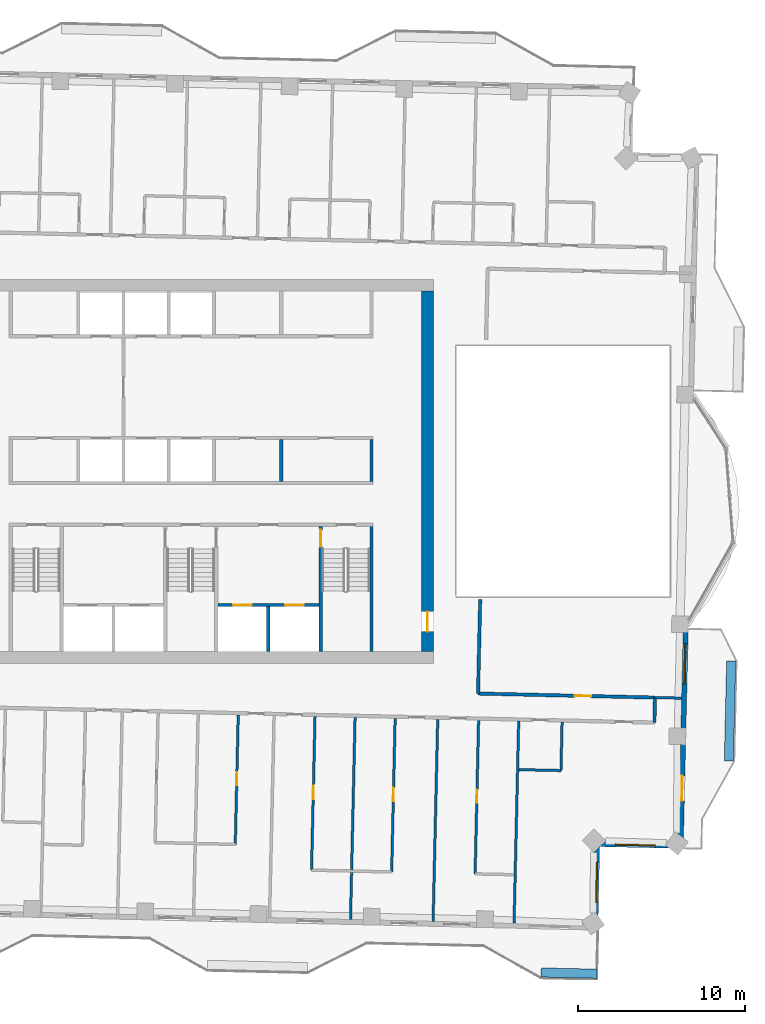
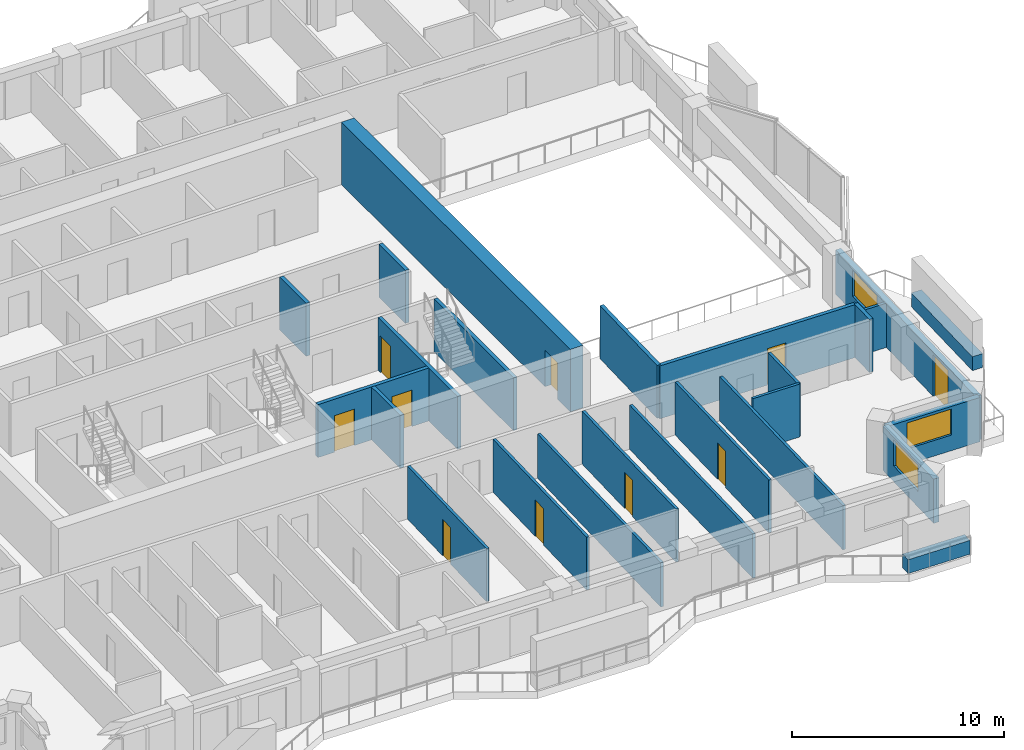
# One storey, part 9 of 17: 25 walls, 10 doors, 3 windows, 13 openings.
"""IFC4 building model written with IfcOpenShell, lengths in metres."""

from ifc_helpers import new_model, si_unit, direction, frame, frame_2d, origin, place, context, subcontext, project, spatial, rectangle, extrude, material, layer, layer_set, type_object, element, fill, save


model = new_model("IFC4")

# Units and contexts
model_context = context("Model", 3, precision=1e-05, world=origin(), true_north=direction((0.0, 1.0)))
body_context = subcontext(model_context, "Body", "Model", "MODEL_VIEW")
ifc_project = project(units=[si_unit("LENGTHUNIT", "METRE"), si_unit("AREAUNIT", "SQUARE_METRE"), si_unit("VOLUMEUNIT", "CUBIC_METRE"), si_unit("PLANEANGLEUNIT", "RADIAN"), si_unit("MASSUNIT", "GRAM", prefix="KILO")], contexts=[model_context])

# Site, building, storey
site_placement = place(None, origin())
site = spatial("IfcSite", under=ifc_project, at=site_placement, CompositionType="ELEMENT")
building_placement = place(site_placement, origin())
building = spatial("IfcBuilding", under=site, at=building_placement, Name="Mangrove Gate Tower", CompositionType="ELEMENT")
storey_placement = place(building_placement, frame((0.0, 0.0, 271.699951171875)))
storey = spatial("IfcBuildingStorey", under=building, at=storey_placement, Name="L69", CompositionType="ELEMENT", Elevation=271.699951171875)

# Walls
ifc_material_1 = material(Name="Concrete C32/40", Category="concrete")
ifc_layer_1 = layer(ifc_material_1, 0.199951171875)
ifc_layer_set_1 = layer_set([ifc_layer_1], Name="Core room wall 200 C32/40")
wall_type_1 = type_object("IfcWallType", Name="Core room wall 200 C32/40", PredefinedType="STANDARD", material=ifc_layer_set_1)
for number, where, z_axis, x_axis, name in (
    (1, (5.39990234375, -0.60009765625, 0.0), (0.0, 0.0, 1.0), (0.0, 1.0, 0.0), "WALL-L69-CORE-24"),
    (2, (10.800048828125, -0.60009765625, 0.0), (0.0, 0.0, 1.0), (0.0, 1.0, 0.0), "WALL-L69-CORE-25"),
):
    element("IfcWall", number, at=place(storey_placement, frame(where, z_axis=z_axis, x_axis=x_axis)), inside=storey, type_object=wall_type_1, Name=name, PredefinedType="STANDARD", context=body_context, shape_type="SweptSolid", body=[
        extrude(rectangle(XDim=2.5, YDim=0.199951171875, at=frame_2d((1.25, 0.0))), origin(), (0.0, 0.0, 1.0), 3.050048828125),
    ])

# Wall, openings, doors
ifc_material_2 = material(Name="Concrete C50/60", Category="concrete")
ifc_layer_2 = layer(ifc_material_2, 0.199951171875)
ifc_layer_set_2 = layer_set([ifc_layer_2], Name="Core shaft wall 200 C50/60")
wall_type_2 = type_object("IfcWallType", Name="Core shaft wall 200 C50/60", PredefinedType="SHEAR", material=ifc_layer_set_2)
wall_1_placement = place(storey_placement, frame((1.60009765625, -8.0, 0.0), z_axis=(0.0, 0.0, 1.0), x_axis=(1.0, 0.0, 0.0)))
wall_1 = element("IfcWall", 3, at=wall_1_placement, inside=storey, type_object=wall_type_2, Name="WALL-L69-CORE-17", PredefinedType="SHEAR", context=body_context, shape_type="SweptSolid", body=[
    extrude(rectangle(XDim=6.0498046875, YDim=0.199951171875, at=frame_2d((3.02490234375, 0.0))), origin(), (0.0, 0.0, 1.0), 3.050048828125),
])
opening_1_placement = place(wall_1_placement, frame((0.91259765625, 0.0, 0.0)))
opening_1 = element("IfcOpeningElement", 4, at=opening_1_placement, cuts=wall_1, Name="Opening LD", PredefinedType="OPENING", context=body_context, shape_type="SweptSolid", body=[
    extrude(rectangle(XDim=1.10009765625, YDim=2.10009765625, at=frame_2d((0.550048828125, 1.050048828125))), frame((0.0, 0.10986328125, 0.0), z_axis=(0.0, -1.0, 0.0), x_axis=(1.0, 0.0, 0.0)), (0.0, 0.0, 1.0), 0.219970703125),
])
opening_2_placement = place(wall_1_placement, frame((4.03759765625, 0.0, 0.0)))
opening_2 = element("IfcOpeningElement", 5, at=opening_2_placement, cuts=wall_1, Name="Opening LD", PredefinedType="OPENING", context=body_context, shape_type="SweptSolid", body=[
    extrude(rectangle(XDim=1.10009765625, YDim=2.10009765625, at=frame_2d((0.550048828125, 1.050048828125))), frame((0.0, 0.10986328125, 0.0), z_axis=(0.0, -1.0, 0.0), x_axis=(1.0, 0.0, 0.0)), (0.0, 0.0, 1.0), 0.219970703125),
])
ifc_material_3 = material(Name="Stainless steel 316", Category="steel")
door_type_1 = type_object("IfcDoorType", Name="Lift landing door 1100x2100", OperationType="SLIDING_TO_LEFT", PredefinedType="DOOR", material=ifc_material_3)
door_1_placement = place(opening_1_placement, origin())
door_1 = element("IfcDoor", 6, at=door_1_placement, inside=storey, type_object=door_type_1, Name="Landing door LD FFL1", OperationType="SLIDING_TO_LEFT", OverallHeight=2.10009765625, OverallWidth=1.10009765625, PredefinedType="DOOR", context=body_context, shape_type="SweptSolid", body=[
    extrude(rectangle(XDim=1.10009765625, YDim=2.10009765625, at=frame_2d((0.550048828125, 1.050048828125))), frame((0.0, 0.02490234375, 0.0), z_axis=(0.0, -1.0, 0.0), x_axis=(1.0, 0.0, 0.0)), (0.0, 0.0, 1.0), 0.050048828125),
])
fill(opening_1, door_1)
door_2_placement = place(opening_2_placement, origin())
door_2 = element("IfcDoor", 7, at=door_2_placement, inside=storey, type_object=door_type_1, Name="Landing door LD FFL2", OperationType="SLIDING_TO_LEFT", OverallHeight=2.10009765625, OverallWidth=1.10009765625, PredefinedType="DOOR", context=body_context, shape_type="SweptSolid", body=[
    extrude(rectangle(XDim=1.10009765625, YDim=2.10009765625, at=frame_2d((0.550048828125, 1.050048828125))), frame((0.0, 0.02490234375, 0.0), z_axis=(0.0, -1.0, 0.0), x_axis=(1.0, 0.0, 0.0)), (0.0, 0.0, 1.0), 0.050048828125),
])
fill(opening_2, door_2)

# Wall
wall_2_placement = place(storey_placement, frame((4.625, -10.800048828125, 0.0), z_axis=(0.0, 0.0, 1.0), x_axis=(0.0, 1.0, 0.0)))
element("IfcWall", 8, at=wall_2_placement, inside=storey, type_object=wall_type_2, Name="WALL-L69-CORE-18", PredefinedType="SHEAR", context=body_context, shape_type="SweptSolid", body=[
    extrude(rectangle(XDim=2.699951171875, YDim=0.199951171875, at=frame_2d((1.35009765625, 0.0))), origin(), (0.0, 0.0, 1.0), 3.050048828125),
])

# Wall, opening, door
ifc_material_4 = material(Name="Concrete C50/60", Category="concrete")
ifc_layer_3 = layer(ifc_material_4, 0.199951171875)
ifc_layer_set_3 = layer_set([ifc_layer_3], Name="Core stair wall 200 C50/60")
wall_type_3 = type_object("IfcWallType", Name="Core stair wall 200 C50/60", PredefinedType="SHEAR", material=ifc_layer_set_3)
wall_3_placement = place(storey_placement, frame((7.75, -10.800048828125, 0.0), z_axis=(0.0, 0.0, 1.0), x_axis=(0.0, 1.0, 0.0)))
wall_3 = element("IfcWall", 9, at=wall_3_placement, inside=storey, type_object=wall_type_3, Name="WALL-L69-CORE-13", PredefinedType="SHEAR", context=body_context, shape_type="SweptSolid", body=[
    extrude(rectangle(XDim=7.5, YDim=0.199951171875, at=frame_2d((3.75, 0.0))), origin(), (0.0, 0.0, 1.0), 3.050048828125),
])
opening_3_placement = place(wall_3_placement, frame((6.300048828125, 0.0, 0.0)))
opening_3 = element("IfcOpeningElement", 10, at=opening_3_placement, cuts=wall_3, Name="Opening STD10", PredefinedType="OPENING", context=body_context, shape_type="SweptSolid", body=[
    extrude(rectangle(XDim=1.0, YDim=2.10009765625, at=frame_2d((0.5, 1.050048828125))), frame((0.0, 0.10986328125, 0.0), z_axis=(0.0, -1.0, 0.0), x_axis=(1.0, 0.0, 0.0)), (0.0, 0.0, 1.0), 0.219970703125),
])
ifc_material_5 = material(Name="Fire-rated steel door set", Category="steel")
door_type_2 = type_object("IfcDoorType", Name="Stair door FD60 1000x2100", OperationType="SINGLE_SWING_RIGHT", PredefinedType="DOOR", material=ifc_material_5)
door_3_placement = place(opening_3_placement, origin())
door_3 = element("IfcDoor", 11, at=door_3_placement, inside=storey, type_object=door_type_2, Name="Stair door Stair 3 from fire-fighting lobby", OperationType="SINGLE_SWING_RIGHT", OverallHeight=2.10009765625, OverallWidth=1.0, PredefinedType="DOOR", context=body_context, shape_type="SweptSolid", body=[
    extrude(rectangle(XDim=1.0, YDim=2.10009765625, at=frame_2d((0.5, 1.050048828125))), frame((0.0, 0.02490234375, 0.0), z_axis=(0.0, -1.0, 0.0), x_axis=(1.0, 0.0, 0.0)), (0.0, 0.0, 1.0), 0.050048828125),
])
fill(opening_3, door_3)

# Wall
wall_4_placement = place(storey_placement, frame((10.800048828125, -10.800048828125, 0.0), z_axis=(0.0, 0.0, 1.0), x_axis=(0.0, 1.0, 0.0)))
element("IfcWall", 12, at=wall_4_placement, inside=storey, type_object=wall_type_3, Name="WALL-L69-CORE-14", PredefinedType="SHEAR", context=body_context, shape_type="SweptSolid", body=[
    extrude(rectangle(XDim=7.5, YDim=0.199951171875, at=frame_2d((3.75, 0.0))), origin(), (0.0, 0.0, 1.0), 3.050048828125),
])

# Wall, opening, door
ifc_material_6 = material(Name="Concrete C50/60", Category="concrete")
ifc_layer_4 = layer(ifc_material_6, 0.699951171875)
ifc_layer_set_4 = layer_set([ifc_layer_4], Name="Core wall 700 C50/60")
wall_type_4 = type_object("IfcWallType", Name="Core wall 700 C50/60", PredefinedType="SHEAR", material=ifc_layer_set_4)
wall_5_placement = place(storey_placement, frame((14.14990234375, -10.800048828125, 0.0), z_axis=(0.0, 0.0, 1.0), x_axis=(0.0, 1.0, 0.0)))
wall_5 = element("IfcWall", 13, at=wall_5_placement, inside=storey, type_object=wall_type_4, Name="WALL-L69-CORE-4", PredefinedType="SHEAR", context=body_context, shape_type="SweptSolid", body=[
    extrude(rectangle(XDim=21.60009765625, YDim=0.699951171875, at=frame_2d((10.800048828125, 0.0))), origin(), (0.0, 0.0, 1.0), 3.60009765625),
])
opening_4_placement = place(wall_5_placement, frame((1.199951171875, 0.0, 0.0)))
opening_4 = element("IfcOpeningElement", 14, at=opening_4_placement, cuts=wall_5, Name="Opening CD", PredefinedType="OPENING", context=body_context, shape_type="SweptSolid", body=[
    extrude(rectangle(XDim=1.199951171875, YDim=2.10009765625, at=frame_2d((0.60009765625, 1.050048828125))), frame((0.0, 0.35986328125, 0.0), z_axis=(0.0, -1.0, 0.0), x_axis=(1.0, 0.0, 0.0)), (0.0, 0.0, 1.0), 0.719970703125),
])
ifc_material_7 = material(Name="Fire-rated steel door set", Category="steel")
door_type_3 = type_object("IfcDoorType", Name="Core ring door FD60 1200x2100", OperationType="DOUBLE_DOOR_SINGLE_SWING", PredefinedType="DOOR", material=ifc_material_7)
door_4_placement = place(opening_4_placement, origin())
door_4 = element("IfcDoor", 15, at=door_4_placement, inside=storey, type_object=door_type_3, Name="Core ring door E1", OperationType="DOUBLE_DOOR_SINGLE_SWING", OverallHeight=2.10009765625, OverallWidth=1.199951171875, PredefinedType="DOOR", context=body_context, shape_type="SweptSolid", body=[
    extrude(rectangle(XDim=1.199951171875, YDim=2.10009765625, at=frame_2d((0.60009765625, 1.050048828125))), frame((0.0, 0.02490234375, 0.0), z_axis=(0.0, -1.0, 0.0), x_axis=(1.0, 0.0, 0.0)), (0.0, 0.0, 1.0), 0.050048828125),
])
fill(opening_4, door_4)

# Wall
ifc_material_8 = material(Name="Gypsum board on steel stud, EI 60", Category="steel")
ifc_layer_5 = layer(ifc_material_8, 0.199951171875)
ifc_layer_set_5 = layer_set([ifc_layer_5], Name="Corridor wall EI 60")
wall_type_5 = type_object("IfcWallType", Name="Corridor wall EI 60", PredefinedType="PARTITIONING", material=ifc_layer_set_5)
wall_6_placement = place(storey_placement, frame((27.742919921875, -15.047119140625, 0.0), z_axis=(0.0, 0.0, 1.0), x_axis=(0.022780545013, 0.999740489712, 0.0)))
element("IfcWall", 16, at=wall_6_placement, inside=storey, type_object=wall_type_5, Name="WALL-L69-028", PredefinedType="PARTITIONING", context=body_context, shape_type="SweptSolid", body=[
    extrude(rectangle(XDim=1.50048828125, YDim=0.199951171875, at=frame_2d((0.750244140625, 0.0))), origin(), (0.0, 0.0, 1.0), 3.050048828125),
])

# Wall, opening, door
wall_7_placement = place(storey_placement, frame((17.176025390625, -13.305908203125, 0.0), z_axis=(0.0, 0.0, 1.0), x_axis=(0.999741038234, -0.022756459988, 0.0)))
wall_7 = element("IfcWall", 17, at=wall_7_placement, inside=storey, type_object=wall_type_5, Name="WALL-L69-032", PredefinedType="PARTITIONING", context=body_context, shape_type="SweptSolid", body=[
    extrude(rectangle(XDim=10.599609375, YDim=0.199951171875, at=frame_2d((5.2998046875, 0.0))), origin(), (0.0, 0.0, 1.0), 3.050048828125),
])
opening_5_placement = place(wall_7_placement, frame((5.782958984375, 0.0, 0.0)))
opening_5 = element("IfcOpeningElement", 18, at=opening_5_placement, cuts=wall_7, Name="Opening AD", PredefinedType="OPENING", context=body_context, shape_type="SweptSolid", body=[
    extrude(rectangle(XDim=1.0, YDim=2.10009765625, at=frame_2d((0.5, 1.050048828125))), frame((0.0, 0.10986328125, 0.0), z_axis=(0.0, -1.0, 0.0), x_axis=(1.0, 0.0, 0.0)), (0.0, 0.0, 1.0), 0.219970703125),
])
ifc_material_9 = material(Name="Timber door leaf", Category="wood")
door_type_4 = type_object("IfcDoorType", Name="Amenity door 1000", OperationType="SINGLE_SWING_LEFT", PredefinedType="DOOR", material=ifc_material_9)
door_5_placement = place(opening_5_placement, origin())
door_5 = element("IfcDoor", 19, at=door_5_placement, inside=storey, type_object=door_type_4, Name="DOOR-L69-KIT-c3b", OperationType="SINGLE_SWING_LEFT", OverallHeight=2.10009765625, OverallWidth=1.0, PredefinedType="DOOR", context=body_context, shape_type="SweptSolid", body=[
    extrude(rectangle(XDim=1.0, YDim=2.10009765625, at=frame_2d((0.5, 1.050048828125))), frame((0.0, 0.02490234375, 0.0), z_axis=(0.0, -1.0, 0.0), x_axis=(1.0, 0.0, 0.0)), (0.0, 0.0, 1.0), 0.050048828125),
])
fill(opening_5, door_5)

# Wall
wall_8_placement = place(storey_placement, frame((17.179931640625, -13.305908203125, 0.0), z_axis=(0.0, 0.0, 1.0), x_axis=(0.022584272568, 0.999744942789, 0.0)))
element("IfcWall", 20, at=wall_8_placement, inside=storey, type_object=wall_type_5, Name="WALL-L69-033", PredefinedType="PARTITIONING", context=body_context, shape_type="SweptSolid", body=[
    extrude(rectangle(XDim=5.621337890625, YDim=0.199951171875, at=frame_2d((2.810546875, 0.0))), origin(), (0.0, 0.0, 1.0), 3.050048828125),
])

# Wall, openings, door, window
ifc_material_10 = material(Name="Limestone", Category="masonry")
ifc_layer_6 = layer(ifc_material_10, 0.0400390625, Name="Limestone cladding")
ifc_material_11 = material(Name="Ventilated air gap")
ifc_layer_7 = layer(ifc_material_11, 0.0400390625, Name="Ventilated cavity")
ifc_material_12 = material(Name="Mineral wool insulation")
ifc_layer_8 = layer(ifc_material_12, 0.06005859375, Name="Insulation")
ifc_material_13 = material(Name="Breather membrane")
ifc_layer_9 = layer(ifc_material_13, 0.001953125, Name="Breather membrane")
ifc_material_14 = material(Name="Concrete C20/25 blockwork", Category="masonry")
ifc_layer_10 = layer(ifc_material_14, 0.14990234375, Name="Blockwork backing wall")
ifc_material_15 = material(Name="Gypsum plaster")
ifc_layer_11 = layer(ifc_material_15, 0.008056640625, Name="Internal plaster")
ifc_layer_set_6 = layer_set([ifc_layer_6, ifc_layer_7, ifc_layer_8, ifc_layer_9, ifc_layer_10, ifc_layer_11], Name="External wall 300 limestone cladding")
wall_type_6 = type_object("IfcWallType", Name="External wall 300 limestone cladding", PredefinedType="SOLIDWALL", material=ifc_layer_set_6)
wall_9_placement = place(storey_placement, frame((29.322021484375, -22.43408203125, 0.0), z_axis=(0.0, 0.0, 1.0), x_axis=(0.022651350875, 0.999743425236, 0.0)))
wall_9 = element("IfcWall", 21, at=wall_9_placement, inside=storey, type_object=wall_type_6, Name="WALL-L69-E0s1", PredefinedType="SOLIDWALL", context=body_context, shape_type="SweptSolid", body=[
    extrude(rectangle(XDim=13.7744140625, YDim=0.300048828125, at=frame_2d((6.88720703125, 0.0))), origin(), (0.0, 0.0, 1.0), 2.550048828125),
])
opening_6_placement = place(wall_9_placement, frame((2.705078125, 0.0, 0.0)))
opening_6 = element("IfcOpeningElement", 22, at=opening_6_placement, cuts=wall_9, Name="Opening BD1", PredefinedType="OPENING", context=body_context, shape_type="SweptSolid", body=[
    extrude(rectangle(XDim=1.5, YDim=2.39990234375, at=frame_2d((0.75, 1.199951171875))), frame((0.0, 0.159912109375, 0.0), z_axis=(0.0, -1.0, 0.0), x_axis=(1.0, 0.0, 0.0)), (0.0, 0.0, 1.0), 0.320068359375),
])
opening_7_placement = place(wall_9_placement, frame((9.712890625, 0.0, 0.89990234375)))
opening_7 = element("IfcOpeningElement", 23, at=opening_7_placement, cuts=wall_9, Name="Opening W2", PredefinedType="OPENING", context=body_context, shape_type="SweptSolid", body=[
    extrude(rectangle(XDim=2.39990234375, YDim=1.5, at=frame_2d((1.199951171875, 0.75))), frame((0.0, 0.159912109375, 0.0), z_axis=(0.0, -1.0, 0.0), x_axis=(1.0, 0.0, 0.0)), (0.0, 0.0, 1.0), 0.320068359375),
])
ifc_material_16 = material(Name="Aluminium frame with laminated clear glass", Category="aluminium")
door_type_5 = type_object("IfcDoorType", Name="Balcony sliding door 1500x2400", OperationType="SLIDING_TO_LEFT", PredefinedType="DOOR", material=ifc_material_16)
door_6_placement = place(opening_6_placement, origin())
door_6 = element("IfcDoor", 24, at=door_6_placement, inside=storey, type_object=door_type_5, Name="DOOR-L69-E0-1", OperationType="SLIDING_TO_LEFT", OverallHeight=2.39990234375, OverallWidth=1.5, PredefinedType="DOOR", context=body_context, shape_type="SweptSolid", body=[
    extrude(rectangle(XDim=1.5, YDim=2.39990234375, at=frame_2d((0.75, 1.199951171875))), frame((0.0, 0.02490234375, 0.0), z_axis=(0.0, -1.0, 0.0), x_axis=(1.0, 0.0, 0.0)), (0.0, 0.0, 1.0), 0.050048828125),
])
fill(opening_6, door_6)
ifc_material_17 = material(Name="Aluminium frame with double-glazed low-e glass", Category="aluminium")
window_type = type_object("IfcWindowType", Name="Corner room window 2400x1500", PartitioningType="DOUBLE_PANEL_VERTICAL", PredefinedType="WINDOW", material=ifc_material_17)
window_1_placement = place(opening_7_placement, origin())
window_1 = element("IfcWindow", 25, at=window_1_placement, inside=storey, type_object=window_type, Name="WIN-L69-E0-2", OverallHeight=1.5, OverallWidth=2.39990234375, PartitioningType="DOUBLE_PANEL_VERTICAL", PredefinedType="WINDOW", context=body_context, shape_type="SweptSolid", body=[
    extrude(rectangle(XDim=2.39990234375, YDim=1.5, at=frame_2d((1.199951171875, 0.75))), frame((0.0, 0.030029296875, 0.0), z_axis=(0.0, -1.0, 0.0), x_axis=(1.0, 0.0, 0.0)), (0.0, 0.0, 1.0), 0.06005859375),
])
fill(opening_7, window_1)

# Wall, opening, window
wall_10_placement = place(storey_placement, frame((24.208984375, -27.320068359375, 0.0), z_axis=(0.0, 0.0, 1.0), x_axis=(0.022801259434, 0.999740017489, 0.0)))
wall_10 = element("IfcWall", 26, at=wall_10_placement, inside=storey, type_object=wall_type_6, Name="WALL-L69-E14", PredefinedType="SOLIDWALL", context=body_context, shape_type="SweptSolid", body=[
    extrude(rectangle(XDim=5.000244140625, YDim=0.300048828125, at=frame_2d((2.5, 0.0))), origin(), (0.0, 0.0, 1.0), 2.550048828125),
])
opening_8_placement = place(wall_10_placement, frame((1.52392578125, 0.0, 0.89990234375)))
opening_8 = element("IfcOpeningElement", 27, at=opening_8_placement, cuts=wall_10, Name="Opening W2", PredefinedType="OPENING", context=body_context, shape_type="SweptSolid", body=[
    extrude(rectangle(XDim=2.39990234375, YDim=1.5, at=frame_2d((1.199951171875, 0.75))), frame((0.0, 0.159912109375, 0.0), z_axis=(0.0, -1.0, 0.0), x_axis=(1.0, 0.0, 0.0)), (0.0, 0.0, 1.0), 0.320068359375),
])
window_2_placement = place(opening_8_placement, origin())
window_2 = element("IfcWindow", 28, at=window_2_placement, inside=storey, type_object=window_type, Name="WIN-L69-E14-1", OverallHeight=1.5, OverallWidth=2.39990234375, PartitioningType="DOUBLE_PANEL_VERTICAL", PredefinedType="WINDOW", context=body_context, shape_type="SweptSolid", body=[
    extrude(rectangle(XDim=2.39990234375, YDim=1.5, at=frame_2d((1.199951171875, 0.75))), frame((0.0, 0.030029296875, 0.0), z_axis=(0.0, -1.0, 0.0), x_axis=(1.0, 0.0, 0.0)), (0.0, 0.0, 1.0), 0.06005859375),
])
fill(opening_8, window_2)

wall_11_placement = place(storey_placement, frame((24.322998046875, -22.321044921875, 0.0), z_axis=(0.0, 0.0, 1.0), x_axis=(0.999744450377, -0.022606059803, 0.0)))
wall_11 = element("IfcWall", 29, at=wall_11_placement, inside=storey, type_object=wall_type_6, Name="WALL-L69-S15", PredefinedType="SOLIDWALL", context=body_context, shape_type="SweptSolid", body=[
    extrude(rectangle(XDim=5.000244140625, YDim=0.300048828125, at=frame_2d((2.5, 0.0))), origin(), (0.0, 0.0, 1.0), 2.550048828125),
])
opening_9_placement = place(wall_11_placement, frame((1.075927734375, 0.0, 0.89990234375)))
opening_9 = element("IfcOpeningElement", 30, at=opening_9_placement, cuts=wall_11, Name="Opening W2", PredefinedType="OPENING", context=body_context, shape_type="SweptSolid", body=[
    extrude(rectangle(XDim=2.39990234375, YDim=1.5, at=frame_2d((1.199951171875, 0.75))), frame((0.0, 0.159912109375, 0.0), z_axis=(0.0, -1.0, 0.0), x_axis=(1.0, 0.0, 0.0)), (0.0, 0.0, 1.0), 0.320068359375),
])
window_3_placement = place(opening_9_placement, origin())
window_3 = element("IfcWindow", 31, at=window_3_placement, inside=storey, type_object=window_type, Name="WIN-L69-S15-1", OverallHeight=1.5, OverallWidth=2.39990234375, PartitioningType="DOUBLE_PANEL_VERTICAL", PredefinedType="WINDOW", context=body_context, shape_type="SweptSolid", body=[
    extrude(rectangle(XDim=2.39990234375, YDim=1.5, at=frame_2d((1.199951171875, 0.75))), frame((0.0, 0.030029296875, 0.0), z_axis=(0.0, -1.0, 0.0), x_axis=(1.0, 0.0, 0.0)), (0.0, 0.0, 1.0), 0.06005859375),
])
fill(opening_9, window_3)

# Walls
ifc_material_18 = material(Name="Gypsum board on steel stud, EI 60", Category="steel")
ifc_layer_12 = layer(ifc_material_18, 0.14990234375)
ifc_layer_set_7 = layer_set([ifc_layer_12], Name="Party wall 150 EI 60")
wall_type_7 = type_object("IfcWallType", Name="Party wall 150 EI 60", PredefinedType="PARTITIONING", material=ifc_layer_set_7)
for number, where, z_axis, x_axis, name in (
    (32, (9.541015625, -26.8369140625, 0.0), (0.0, 0.0, 1.0), (0.02263844782, 0.9997437175, 0.0), "WALL-L69-007"),
    (33, (14.489013671875, -26.948974609375, 0.0), (0.0, 0.0, 1.0), (0.022719113715, 0.999741887625, 0.0), "WALL-L69-008"),
):
    element("IfcWall", number, at=place(storey_placement, frame(where, z_axis=z_axis, x_axis=x_axis)), inside=storey, type_object=wall_type_7, Name=name, PredefinedType="PARTITIONING", context=body_context, shape_type="SweptSolid", body=[
        extrude(rectangle(XDim=12.10009765625, YDim=0.14990234375, at=frame_2d((6.050048828125, 0.0))), origin(), (0.0, 0.0, 1.0), 2.550048828125),
    ])
wall_12_placement = place(storey_placement, frame((19.337890625, -27.05908203125, 0.0), z_axis=(0.0, 0.0, 1.0), x_axis=(0.022738821441, 0.999741439573, 0.0)))
element("IfcWall", 34, at=wall_12_placement, inside=storey, type_object=wall_type_7, Name="WALL-L69-009", PredefinedType="PARTITIONING", context=body_context, shape_type="SweptSolid", body=[
    extrude(rectangle(XDim=12.100341796875, YDim=0.14990234375, at=frame_2d((6.05029296875, 0.0))), origin(), (0.0, 0.0, 1.0), 2.550048828125),
])

# Wall, opening, door
wall_13_placement = place(storey_placement, frame((7.20703125, -23.883056640625, 0.0), z_axis=(0.0, 0.0, 1.0), x_axis=(0.02271477479, 0.999741986218, 0.0)))
wall_13 = element("IfcWall", 35, at=wall_13_placement, inside=storey, type_object=wall_type_7, Name="WALL-L69-012", PredefinedType="PARTITIONING", context=body_context, shape_type="SweptSolid", body=[
    extrude(rectangle(XDim=9.200439453125, YDim=0.14990234375, at=frame_2d((4.60009765625, 0.0))), origin(), (0.0, 0.0, 1.0), 3.050048828125),
])
opening_10_placement = place(wall_13_placement, frame((4.25, 0.0, 0.0)))
opening_10 = element("IfcOpeningElement", 36, at=opening_10_placement, cuts=wall_13, Name="Opening ED", PredefinedType="OPENING", context=body_context, shape_type="SweptSolid", body=[
    extrude(rectangle(XDim=0.800048828125, YDim=2.10009765625, at=frame_2d((0.39990234375, 1.050048828125))), frame((0.0, 0.0849609375, 0.0), z_axis=(0.0, -1.0, 0.0), x_axis=(1.0, 0.0, 0.0)), (0.0, 0.0, 1.0), 0.169921875),
])
ifc_material_19 = material(Name="Timber door leaf", Category="wood")
door_type_6 = type_object("IfcDoorType", Name="En-suite door 800", OperationType="SINGLE_SWING_LEFT", PredefinedType="DOOR", material=ifc_material_19)
door_7_placement = place(opening_10_placement, origin())
door_7 = element("IfcDoor", 37, at=door_7_placement, inside=storey, type_object=door_type_6, Name="DOOR-L69-ENS-c206", OperationType="SINGLE_SWING_RIGHT", OverallHeight=2.10009765625, OverallWidth=0.800048828125, PredefinedType="DOOR", context=body_context, shape_type="SweptSolid", body=[
    extrude(rectangle(XDim=0.800048828125, YDim=2.10009765625, at=frame_2d((0.39990234375, 1.050048828125))), frame((0.0, 0.02490234375, 0.0), z_axis=(0.0, -1.0, 0.0), x_axis=(1.0, 0.0, 0.0)), (0.0, 0.0, 1.0), 0.050048828125),
])
fill(opening_10, door_7)

wall_14_placement = place(storey_placement, frame((12.006103515625, -23.991943359375, 0.0), z_axis=(0.0, 0.0, 1.0), x_axis=(0.02271477479, 0.999741986218, 0.0)))
wall_14 = element("IfcWall", 38, at=wall_14_placement, inside=storey, type_object=wall_type_7, Name="WALL-L69-014", PredefinedType="PARTITIONING", context=body_context, shape_type="SweptSolid", body=[
    extrude(rectangle(XDim=9.200439453125, YDim=0.14990234375, at=frame_2d((4.60009765625, 0.0))), origin(), (0.0, 0.0, 1.0), 3.050048828125),
])
opening_11_placement = place(wall_14_placement, frame((4.25, 0.0, 0.0)))
opening_11 = element("IfcOpeningElement", 39, at=opening_11_placement, cuts=wall_14, Name="Opening ED", PredefinedType="OPENING", context=body_context, shape_type="SweptSolid", body=[
    extrude(rectangle(XDim=0.800048828125, YDim=2.10009765625, at=frame_2d((0.39990234375, 1.050048828125))), frame((0.0, 0.0849609375, 0.0), z_axis=(0.0, -1.0, 0.0), x_axis=(1.0, 0.0, 0.0)), (0.0, 0.0, 1.0), 0.169921875),
])
door_8_placement = place(opening_11_placement, origin())
door_8 = element("IfcDoor", 40, at=door_8_placement, inside=storey, type_object=door_type_6, Name="DOOR-L69-ENS-c207", OperationType="SINGLE_SWING_LEFT", OverallHeight=2.10009765625, OverallWidth=0.800048828125, PredefinedType="DOOR", context=body_context, shape_type="SweptSolid", body=[
    extrude(rectangle(XDim=0.800048828125, YDim=2.10009765625, at=frame_2d((0.39990234375, 1.050048828125))), frame((0.0, 0.02490234375, 0.0), z_axis=(0.0, -1.0, 0.0), x_axis=(1.0, 0.0, 0.0)), (0.0, 0.0, 1.0), 0.050048828125),
])
fill(opening_11, door_8)

wall_15_placement = place(storey_placement, frame((17.0048828125, -24.10498046875, 0.0), z_axis=(0.0, 0.0, 1.0), x_axis=(0.022611084784, 0.999744336741, 0.0)))
wall_15 = element("IfcWall", 41, at=wall_15_placement, inside=storey, type_object=wall_type_7, Name="WALL-L69-015", PredefinedType="PARTITIONING", context=body_context, shape_type="SweptSolid", body=[
    extrude(rectangle(XDim=9.199462890625, YDim=0.14990234375, at=frame_2d((4.599609375, 0.0))), origin(), (0.0, 0.0, 1.0), 3.050048828125),
])
opening_12_placement = place(wall_15_placement, frame((4.25, 0.0, 0.0)))
opening_12 = element("IfcOpeningElement", 42, at=opening_12_placement, cuts=wall_15, Name="Opening ED", PredefinedType="OPENING", context=body_context, shape_type="SweptSolid", body=[
    extrude(rectangle(XDim=0.800048828125, YDim=2.10009765625, at=frame_2d((0.39990234375, 1.050048828125))), frame((0.0, 0.0849609375, 0.0), z_axis=(0.0, -1.0, 0.0), x_axis=(1.0, 0.0, 0.0)), (0.0, 0.0, 1.0), 0.169921875),
])
door_9_placement = place(opening_12_placement, origin())
door_9 = element("IfcDoor", 43, at=door_9_placement, inside=storey, type_object=door_type_6, Name="DOOR-L69-ENS-c308", OperationType="SINGLE_SWING_RIGHT", OverallHeight=2.10009765625, OverallWidth=0.800048828125, PredefinedType="DOOR", context=body_context, shape_type="SweptSolid", body=[
    extrude(rectangle(XDim=0.800048828125, YDim=2.10009765625, at=frame_2d((0.39990234375, 1.050048828125))), frame((0.0, 0.02490234375, 0.0), z_axis=(0.0, -1.0, 0.0), x_axis=(1.0, 0.0, 0.0)), (0.0, 0.0, 1.0), 0.050048828125),
])
fill(opening_12, door_9)

wall_16_placement = place(storey_placement, frame((2.64111328125, -22.339111328125, 0.0), z_axis=(0.0, 0.0, 1.0), x_axis=(0.022652083401, 0.999743408639, 0.0)))
wall_16 = element("IfcWall", 44, at=wall_16_placement, inside=storey, type_object=wall_type_7, Name="WALL-L69-021", PredefinedType="PARTITIONING", context=body_context, shape_type="SweptSolid", body=[
    extrude(rectangle(XDim=7.760009765625, YDim=0.14990234375, at=frame_2d((3.8798828125, 0.0))), origin(), (0.0, 0.0, 1.0), 3.050048828125),
])
opening_13_placement = place(wall_16_placement, frame((3.530029296875, 0.0, 0.0)))
opening_13 = element("IfcOpeningElement", 45, at=opening_13_placement, cuts=wall_16, Name="Opening ED", PredefinedType="OPENING", context=body_context, shape_type="SweptSolid", body=[
    extrude(rectangle(XDim=0.800048828125, YDim=2.10009765625, at=frame_2d((0.39990234375, 1.050048828125))), frame((0.0, 0.0849609375, 0.0), z_axis=(0.0, -1.0, 0.0), x_axis=(1.0, 0.0, 0.0)), (0.0, 0.0, 1.0), 0.169921875),
])
door_10_placement = place(opening_13_placement, origin())
door_10 = element("IfcDoor", 46, at=door_10_placement, inside=storey, type_object=door_type_6, Name="DOOR-L69-ENS-c205", OperationType="SINGLE_SWING_LEFT", OverallHeight=2.10009765625, OverallWidth=0.800048828125, PredefinedType="DOOR", context=body_context, shape_type="SweptSolid", body=[
    extrude(rectangle(XDim=0.800048828125, YDim=2.10009765625, at=frame_2d((0.39990234375, 1.050048828125))), frame((0.0, 0.02490234375, 0.0), z_axis=(0.0, -1.0, 0.0), x_axis=(1.0, 0.0, 0.0)), (0.0, 0.0, 1.0), 0.050048828125),
])
fill(opening_13, door_10)

# Walls
wall_17_placement = place(storey_placement, frame((19.6259765625, -17.863037109375, 0.0), z_axis=(0.0, 0.0, 1.0), x_axis=(0.9997461113, -0.022532486354, 0.0)))
element("IfcWall", 47, at=wall_17_placement, inside=storey, type_object=wall_type_7, Name="WALL-L69-024", PredefinedType="PARTITIONING", context=body_context, shape_type="SweptSolid", body=[
    extrude(rectangle(XDim=2.524658203125, YDim=0.14990234375, at=frame_2d((1.26220703125, 0.0))), origin(), (0.0, 0.0, 1.0), 3.050048828125),
])
wall_18_placement = place(storey_placement, frame((22.14599609375, -17.919921875, 0.0), z_axis=(0.0, 0.0, 1.0), x_axis=(0.022732880677, 0.999741574676, 0.0)))
element("IfcWall", 48, at=wall_18_placement, inside=storey, type_object=wall_type_7, Name="WALL-L69-025", PredefinedType="PARTITIONING", context=body_context, shape_type="SweptSolid", body=[
    extrude(rectangle(XDim=2.899658203125, YDim=0.14990234375, at=frame_2d((1.44970703125, 0.0))), origin(), (0.0, 0.0, 1.0), 3.050048828125),
])
wall_19_placement = place(storey_placement, frame((27.77294921875, -13.547119140625, 0.0), z_axis=(0.0, 0.0, 1.0), x_axis=(0.999748563699, -0.022423411484, 0.0)))
element("IfcWall", 49, at=wall_19_placement, inside=storey, type_object=wall_type_7, Name="WALL-L69-034", PredefinedType="PARTITIONING", context=body_context, shape_type="SweptSolid", body=[
    extrude(rectangle(XDim=1.6005859375, YDim=0.14990234375, at=frame_2d((0.80029296875, 0.0))), origin(), (0.0, 0.0, 1.0), 2.550048828125),
])
ifc_material_20 = material(Name="Concrete C32/40", Category="concrete")
ifc_layer_13 = layer(ifc_material_20, 0.199951171875, Name="Planter trough wall")
ifc_material_21 = material(Name="Bituminous waterproofing membrane")
ifc_layer_14 = layer(ifc_material_21, 0.0048828125, Name="Waterproofing")
ifc_material_22 = material(Name="Drainage board and gravel")
ifc_layer_15 = layer(ifc_material_22, 0.044921875, Name="Drainage layer")
ifc_material_23 = material(Name="Planting soil")
ifc_layer_16 = layer(ifc_material_23, 0.300048828125, Name="Growing medium")
ifc_layer_set_8 = layer_set([ifc_layer_13, ifc_layer_14, ifc_layer_15, ifc_layer_16], Name="Planter wall 550 C32/40")
wall_type_8 = type_object("IfcWallType", Name="Planter wall 550 C32/40", PredefinedType="USERDEFINED", material=ifc_layer_set_8)
wall_20_placement = place(storey_placement, frame((32.202880859375, -17.34912109375, 0.0), z_axis=(0.0, 0.0, 1.0), x_axis=(0.022702921152, 0.999742255469, 0.0)))
element("IfcWall", 50, at=wall_20_placement, inside=storey, type_object=wall_type_8, Name="PLANTER L69 E0.1", ObjectType="PLANTER", PredefinedType="USERDEFINED", context=body_context, shape_type="SweptSolid", body=[
    extrude(rectangle(XDim=6.00048828125, YDim=0.550048828125, at=frame_2d((3.000244140625, 0.0))), origin(), (0.0, 0.0, 1.0), 0.800048828125),
])
wall_21_placement = place(storey_placement, frame((20.9609375, -30.011962890625, 0.0), z_axis=(0.0, 0.0, 1.0), x_axis=(0.999747546804, -0.022468704017, 0.0)))
element("IfcWall", 51, at=wall_21_placement, inside=storey, type_object=wall_type_8, Name="PLANTER L69 S1.2", ObjectType="PLANTER", PredefinedType="USERDEFINED", context=body_context, shape_type="SweptSolid", body=[
    extrude(rectangle(XDim=3.335693359375, YDim=0.550048828125, at=frame_2d((1.66796875, 0.0))), origin(), (0.0, 0.0, 1.0), 0.800048828125),
])

save(model, "model.ifc")
